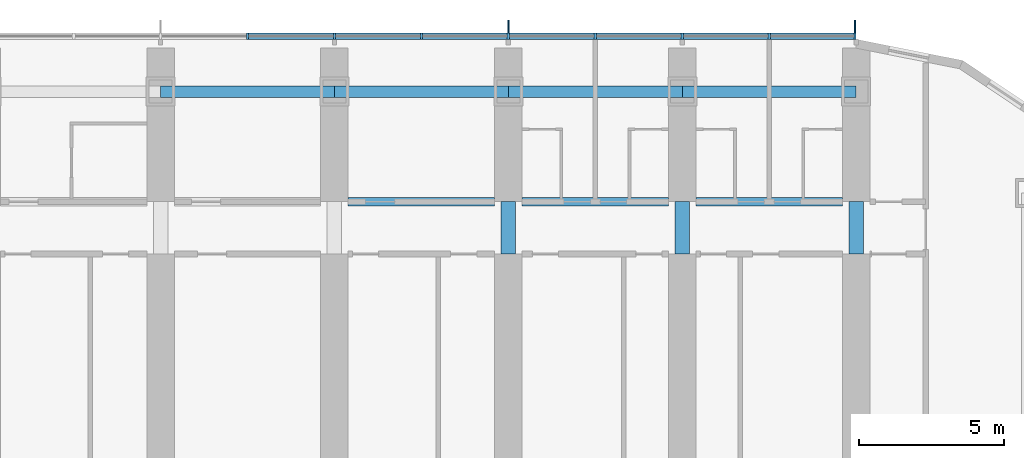
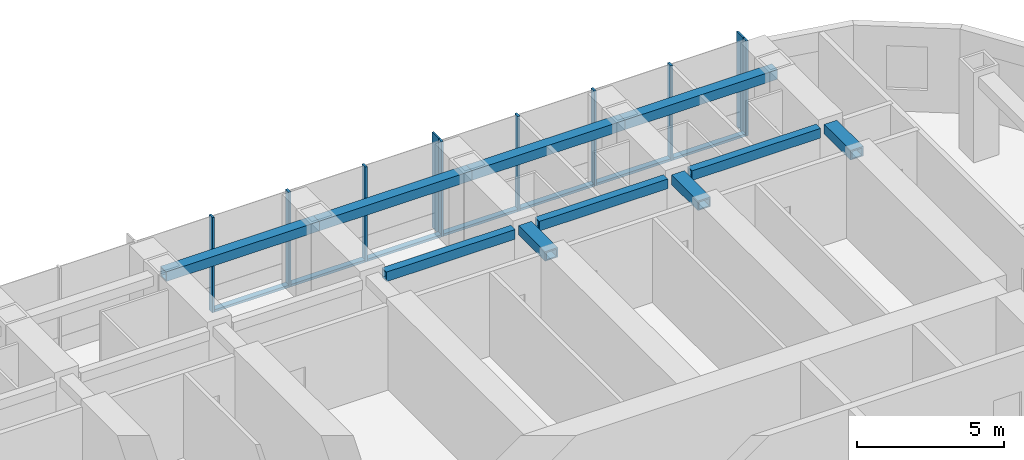
# One storey, part 7 of 25: 17 members, 10 beams, 1 element without a shape of its own.
"""IFC4 building model written with IfcOpenShell, lengths in metres."""

from ifc_helpers import new_model, si_unit, direction, frame, origin, origin_2d, place, context, subcontext, project, spatial, rectangle, hollow_rectangle, extrude, material, material_profile, profile_set, type_object, element, aggregate, save


model = new_model("IFC4")

# Units and contexts
model_context = context("Model", 3, precision=1e-05, world=origin(), true_north=direction((0.0, 1.0)))
body_context = subcontext(model_context, "Body", "Model", "MODEL_VIEW")
ifc_project = project(units=[si_unit("LENGTHUNIT", "METRE"), si_unit("AREAUNIT", "SQUARE_METRE"), si_unit("VOLUMEUNIT", "CUBIC_METRE"), si_unit("PLANEANGLEUNIT", "RADIAN"), si_unit("MASSUNIT", "GRAM", prefix="KILO")], contexts=[model_context])

# Site, building, storey
site_placement = place(None, origin())
site = spatial("IfcSite", under=ifc_project, at=site_placement, CompositionType="ELEMENT")
building_placement = place(site_placement, origin())
building = spatial("IfcBuilding", under=site, at=building_placement, Name="Orbita Commons", CompositionType="ELEMENT")
storey_placement = place(building_placement, frame((0.0, 0.0, 84.39990234375)))
storey = spatial("IfcBuildingStorey", under=building, at=storey_placement, Name="L20", CompositionType="ELEMENT", Elevation=84.39990234375)

# Curtain wall, members
ifc_material_1 = material(Name="Anodised aluminium frame, pale silver", Category="aluminium")
curtain_wall_type = type_object("IfcCurtainWallType", Name="Unitised curtain wall CW-T, vision and spandrel", PredefinedType="NOTDEFINED", material=ifc_material_1)
curtain_wall_placement = place(storey_placement, origin())
curtain_wall = element("IfcCurtainWall", 1, at=curtain_wall_placement, inside=storey, type_object=curtain_wall_type, Name="Curtain wall north L20", PredefinedType="NOTDEFINED")
ifc_material_2 = material(Name="Anodised aluminium, pale silver", Category="aluminium")
ifc_material_profile_1 = material_profile(ifc_material_2, rectangle(XDim=0.080078125, YDim=0.219970703125, at=origin_2d()), Name="AL 80x220")
ifc_profile_set_1 = profile_set([ifc_material_profile_1], Name="Anodised aluminium, pale silver")
member_type_1 = type_object("IfcMemberType", Name="Curtain wall mullion 80x220", PredefinedType="MULLION", material=ifc_profile_set_1)
member_1_placement = place(storey_placement, frame((65.9599609375, 55.510009765625, -0.449951171875), z_axis=(0.0, 0.0, 1.0), x_axis=(-1.0, 0.0, 0.0)))
member_1 = element("IfcMember", 2, at=member_1_placement, type_object=member_type_1, Name="Mullion 1 CW-L20-N", PredefinedType="MULLION", context=body_context, shape_type="SweptSolid", body=[
    extrude(rectangle(XDim=0.080078125, YDim=0.219970703125, at=origin_2d()), origin(), (0.0, 0.0, 1.0), 3.949951171875),
])
member_2_placement = place(storey_placement, frame((63.0, 55.510009765625, -0.449951171875), z_axis=(0.0, 0.0, 1.0), x_axis=(-1.0, 0.0, 0.0)))
member_2 = element("IfcMember", 3, at=member_2_placement, type_object=member_type_1, Name="Mullion 2 CW-L20-N", PredefinedType="MULLION", context=body_context, shape_type="SweptSolid", body=[
    extrude(rectangle(XDim=0.080078125, YDim=0.219970703125, at=origin_2d()), origin(), (0.0, 0.0, 1.0), 3.949951171875),
])
member_3_placement = place(storey_placement, frame((60.0, 55.510009765625, -0.449951171875), z_axis=(0.0, 0.0, 1.0), x_axis=(-1.0, 0.0, 0.0)))
member_3 = element("IfcMember", 4, at=member_3_placement, type_object=member_type_1, Name="Mullion 3 CW-L20-N", PredefinedType="MULLION", context=body_context, shape_type="SweptSolid", body=[
    extrude(rectangle(XDim=0.080078125, YDim=0.219970703125, at=origin_2d()), origin(), (0.0, 0.0, 1.0), 3.949951171875),
])
member_4_placement = place(storey_placement, frame((57.0, 55.510009765625, -0.449951171875), z_axis=(0.0, 0.0, 1.0), x_axis=(-1.0, 0.0, 0.0)))
member_4 = element("IfcMember", 5, at=member_4_placement, type_object=member_type_1, Name="Mullion 4 CW-L20-N", PredefinedType="MULLION", context=body_context, shape_type="SweptSolid", body=[
    extrude(rectangle(XDim=0.080078125, YDim=0.219970703125, at=origin_2d()), origin(), (0.0, 0.0, 1.0), 3.949951171875),
])
member_5_placement = place(storey_placement, frame((54.0, 55.510009765625, -0.449951171875), z_axis=(0.0, 0.0, 1.0), x_axis=(-1.0, 0.0, 0.0)))
member_5 = element("IfcMember", 6, at=member_5_placement, type_object=member_type_1, Name="Mullion 5 CW-L20-N", PredefinedType="MULLION", context=body_context, shape_type="SweptSolid", body=[
    extrude(rectangle(XDim=0.080078125, YDim=0.219970703125, at=origin_2d()), origin(), (0.0, 0.0, 1.0), 3.949951171875),
])
member_6_placement = place(storey_placement, frame((51.0, 55.510009765625, -0.449951171875), z_axis=(0.0, 0.0, 1.0), x_axis=(-1.0, 0.0, 0.0)))
member_6 = element("IfcMember", 7, at=member_6_placement, type_object=member_type_1, Name="Mullion 6 CW-L20-N", PredefinedType="MULLION", context=body_context, shape_type="SweptSolid", body=[
    extrude(rectangle(XDim=0.080078125, YDim=0.219970703125, at=origin_2d()), origin(), (0.0, 0.0, 1.0), 3.949951171875),
])
member_7_placement = place(storey_placement, frame((48.0, 55.510009765625, -0.449951171875), z_axis=(0.0, 0.0, 1.0), x_axis=(-1.0, 0.0, 0.0)))
member_7 = element("IfcMember", 8, at=member_7_placement, type_object=member_type_1, Name="Mullion 7 CW-L20-N", PredefinedType="MULLION", context=body_context, shape_type="SweptSolid", body=[
    extrude(rectangle(XDim=0.080078125, YDim=0.219970703125, at=origin_2d()), origin(), (0.0, 0.0, 1.0), 3.949951171875),
])
member_8_placement = place(storey_placement, frame((45.0, 55.510009765625, -0.449951171875), z_axis=(0.0, 0.0, 1.0), x_axis=(-1.0, 0.0, 0.0)))
member_8 = element("IfcMember", 9, at=member_8_placement, type_object=member_type_1, Name="Mullion 8 CW-L20-N", PredefinedType="MULLION", context=body_context, shape_type="SweptSolid", body=[
    extrude(rectangle(XDim=0.080078125, YDim=0.219970703125, at=origin_2d()), origin(), (0.0, 0.0, 1.0), 3.949951171875),
])
ifc_material_3 = material(Name="Anodised aluminium, pale silver", Category="aluminium")
ifc_material_profile_2 = material_profile(ifc_material_3, rectangle(XDim=0.219970703125, YDim=0.10009765625, at=origin_2d()), Name="AL 220x100")
ifc_profile_set_2 = profile_set([ifc_material_profile_2], Name="Anodised aluminium, pale silver")
member_type_2 = type_object("IfcMemberType", Name="Curtain wall stack transom 220x100", PredefinedType="USERDEFINED", material=ifc_profile_set_2)
member_9_placement = place(storey_placement, frame((65.919921875, 55.510009765625, -0.39990234375), z_axis=(-1.0, 0.0, 0.0), x_axis=(0.0, -1.0, 0.0)))
member_9 = element("IfcMember", 10, at=member_9_placement, type_object=member_type_2, Name="Transom 1.1 CW-L20-N", ObjectType="TRANSOM", PredefinedType="USERDEFINED", context=body_context, shape_type="SweptSolid", body=[
    extrude(rectangle(XDim=0.219970703125, YDim=0.10009765625, at=origin_2d()), origin(), (0.0, 0.0, 1.0), 2.8798828125),
])
member_10_placement = place(storey_placement, frame((62.9599609375, 55.510009765625, -0.39990234375), z_axis=(-1.0, 0.0, 0.0), x_axis=(0.0, -1.0, 0.0)))
member_10 = element("IfcMember", 11, at=member_10_placement, type_object=member_type_2, Name="Transom 2.1 CW-L20-N", ObjectType="TRANSOM", PredefinedType="USERDEFINED", context=body_context, shape_type="SweptSolid", body=[
    extrude(rectangle(XDim=0.219970703125, YDim=0.10009765625, at=origin_2d()), origin(), (0.0, 0.0, 1.0), 2.919921875),
])
member_11_placement = place(storey_placement, frame((59.9599609375, 55.510009765625, -0.39990234375), z_axis=(-1.0, 0.0, 0.0), x_axis=(0.0, -1.0, 0.0)))
member_11 = element("IfcMember", 12, at=member_11_placement, type_object=member_type_2, Name="Transom 3.1 CW-L20-N", ObjectType="TRANSOM", PredefinedType="USERDEFINED", context=body_context, shape_type="SweptSolid", body=[
    extrude(rectangle(XDim=0.219970703125, YDim=0.10009765625, at=origin_2d()), origin(), (0.0, 0.0, 1.0), 2.919921875),
])
member_12_placement = place(storey_placement, frame((56.9599609375, 55.510009765625, -0.39990234375), z_axis=(-1.0, 0.0, 0.0), x_axis=(0.0, -1.0, 0.0)))
member_12 = element("IfcMember", 13, at=member_12_placement, type_object=member_type_2, Name="Transom 4.1 CW-L20-N", ObjectType="TRANSOM", PredefinedType="USERDEFINED", context=body_context, shape_type="SweptSolid", body=[
    extrude(rectangle(XDim=0.219970703125, YDim=0.10009765625, at=origin_2d()), origin(), (0.0, 0.0, 1.0), 2.919921875),
])
member_13_placement = place(storey_placement, frame((53.9599609375, 55.510009765625, -0.39990234375), z_axis=(-1.0, 0.0, 0.0), x_axis=(0.0, -1.0, 0.0)))
member_13 = element("IfcMember", 14, at=member_13_placement, type_object=member_type_2, Name="Transom 5.1 CW-L20-N", ObjectType="TRANSOM", PredefinedType="USERDEFINED", context=body_context, shape_type="SweptSolid", body=[
    extrude(rectangle(XDim=0.219970703125, YDim=0.10009765625, at=origin_2d()), origin(), (0.0, 0.0, 1.0), 2.919921875),
])
member_14_placement = place(storey_placement, frame((50.9599609375, 55.510009765625, -0.39990234375), z_axis=(-1.0, 0.0, 0.0), x_axis=(0.0, -1.0, 0.0)))
member_14 = element("IfcMember", 15, at=member_14_placement, type_object=member_type_2, Name="Transom 6.1 CW-L20-N", ObjectType="TRANSOM", PredefinedType="USERDEFINED", context=body_context, shape_type="SweptSolid", body=[
    extrude(rectangle(XDim=0.219970703125, YDim=0.10009765625, at=origin_2d()), origin(), (0.0, 0.0, 1.0), 2.919921875),
])
member_15_placement = place(storey_placement, frame((47.9599609375, 55.510009765625, -0.39990234375), z_axis=(-1.0, 0.0, 0.0), x_axis=(0.0, -1.0, 0.0)))
member_15 = element("IfcMember", 16, at=member_15_placement, type_object=member_type_2, Name="Transom 7.1 CW-L20-N", ObjectType="TRANSOM", PredefinedType="USERDEFINED", context=body_context, shape_type="SweptSolid", body=[
    extrude(rectangle(XDim=0.219970703125, YDim=0.10009765625, at=origin_2d()), origin(), (0.0, 0.0, 1.0), 2.919921875),
])

# Beams
ifc_material_4 = material(Name="Steel ASTM A572 Gr 50 welded plate", Category="steel")
ifc_material_profile_3 = material_profile(ifc_material_4, hollow_rectangle(XDim=0.300048828125, YDim=0.39990234375, WallThickness=0.0400390625, at=origin_2d()), Name="BOX 400x300x40")
ifc_profile_set_3 = profile_set([ifc_material_profile_3], Name="Steel ASTM A572 Gr 50 welded plate")
beam_type_1 = type_object("IfcBeamType", Name="Steel corridor link BOX 400x300x40", PredefinedType="BEAM", material=ifc_profile_set_3)
for number, where, z_axis, x_axis, name in (
    (17, (48.47509765625, 49.800048828125, 3.300048828125), (1.0, 0.0, 0.0), (0.0, 1.0, 0.0), "Corridor beam NB 9-10 L20"),
    (18, (54.47509765625, 49.800048828125, 3.300048828125), (1.0, 0.0, 0.0), (0.0, 1.0, 0.0), "Corridor beam NB 10-11 L20"),
    (19, (60.47509765625, 49.800048828125, 3.300048828125), (1.0, 0.0, 0.0), (0.0, 1.0, 0.0), "Corridor beam NB 11-12 L20"),
):
    element("IfcBeam", number, at=place(storey_placement, frame(where, z_axis=z_axis, x_axis=x_axis)), inside=storey, type_object=beam_type_1, Name=name, PredefinedType="BEAM", context=body_context, shape_type="SweptSolid", body=[
        extrude(hollow_rectangle(XDim=0.300048828125, YDim=0.39990234375, WallThickness=0.0400390625, at=origin_2d()), origin(), (0.0, 0.0, 1.0), 5.0498046875),
    ])
ifc_material_5 = material(Name="Steel ASTM A572 Gr 50 welded plate", Category="steel")
ifc_material_profile_4 = material_profile(ifc_material_5, hollow_rectangle(XDim=0.5, YDim=0.39990234375, WallThickness=0.050048828125, at=origin_2d()), Name="BOX 400x500x50")
ifc_profile_set_4 = profile_set([ifc_material_profile_4], Name="Steel ASTM A572 Gr 50 welded plate")
beam_type_2 = type_object("IfcBeamType", Name="Steel coupling link BOX 400x500x50", PredefinedType="LINTEL", material=ifc_profile_set_4)
for number, where, z_axis, x_axis, name in (
    (20, (54.0, 48.0, 3.300048828125), (0.0, 1.0, 0.0), (-1.0, 0.0, 0.0), "Coupling beam 10 north L20"),
    (21, (60.0, 48.0, 3.300048828125), (0.0, 1.0, 0.0), (-1.0, 0.0, 0.0), "Coupling beam 11 north L20"),
    (22, (66.0, 48.0, 3.300048828125), (0.0, 1.0, 0.0), (-1.0, 0.0, 0.0), "Coupling beam 12 north L20"),
):
    element("IfcBeam", number, at=place(storey_placement, frame(where, z_axis=z_axis, x_axis=x_axis)), inside=storey, type_object=beam_type_2, Name=name, PredefinedType="LINTEL", context=body_context, shape_type="SweptSolid", body=[
        extrude(hollow_rectangle(XDim=0.5, YDim=0.39990234375, WallThickness=0.050048828125, at=origin_2d()), origin(), (0.0, 0.0, 1.0), 1.800048828125),
    ])
ifc_material_6 = material(Name="Steel ASTM A572 Gr 50 welded plate", Category="steel")
ifc_material_profile_5 = material_profile(ifc_material_6, hollow_rectangle(XDim=0.39990234375, YDim=0.39990234375, WallThickness=0.0400390625, at=origin_2d()), Name="BOX 400x400x40")
ifc_profile_set_5 = profile_set([ifc_material_profile_5], Name="Steel ASTM A572 Gr 50 welded plate")
beam_type_3 = type_object("IfcBeamType", Name="Steel spandrel BOX 400x400x40", PredefinedType="SPANDREL", material=ifc_profile_set_5)
for number, where, z_axis, x_axis, name in (
    (23, (42.0, 53.60009765625, 3.300048828125), (1.0, 0.0, 0.0), (0.0, 1.0, 0.0), "Spandrel beam E 8-9 L20"),
    (24, (48.0, 53.60009765625, 3.300048828125), (1.0, 0.0, 0.0), (0.0, 1.0, 0.0), "Spandrel beam E 9-10 L20"),
    (25, (54.0, 53.60009765625, 3.300048828125), (1.0, 0.0, 0.0), (0.0, 1.0, 0.0), "Spandrel beam E 10-11 L20"),
    (26, (60.0, 53.60009765625, 3.300048828125), (1.0, 0.0, 0.0), (0.0, 1.0, 0.0), "Spandrel beam E 11-12 L20"),
):
    element("IfcBeam", number, at=place(storey_placement, frame(where, z_axis=z_axis, x_axis=x_axis)), inside=storey, type_object=beam_type_3, Name=name, PredefinedType="SPANDREL", context=body_context, shape_type="SweptSolid", body=[
        extrude(hollow_rectangle(XDim=0.39990234375, YDim=0.39990234375, WallThickness=0.0400390625, at=origin_2d()), origin(), (0.0, 0.0, 1.0), 6.0),
    ])

# Member
ifc_material_7 = material(Name="Anodised aluminium, pale silver", Category="aluminium")
ifc_material_profile_6 = material_profile(ifc_material_7, rectangle(XDim=0.06005859375, YDim=0.449951171875, at=origin_2d()), Name="FIN 60x450")
ifc_profile_set_6 = profile_set([ifc_material_profile_6], Name="Anodised aluminium, pale silver")
member_type_3 = type_object("IfcMemberType", Name="Vertical fin 60x450 pale aluminium", PredefinedType="USERDEFINED", material=ifc_profile_set_6)
member_16_placement = place(storey_placement, frame((65.9599609375, 55.844970703125, -0.449951171875), z_axis=(0.0, 0.0, 1.0), x_axis=(-1.0, 0.0, 0.0)))
member_16 = element("IfcMember", 27, at=member_16_placement, type_object=member_type_3, Name="Fin 1 CW-L20-N", ObjectType="FIN", PredefinedType="USERDEFINED", context=body_context, shape_type="SweptSolid", body=[
    extrude(rectangle(XDim=0.06005859375, YDim=0.449951171875, at=origin_2d()), origin(), (0.0, 0.0, 1.0), 3.949951171875),
])

member_17_placement = place(storey_placement, frame((54.0, 55.844970703125, -0.449951171875), z_axis=(0.0, 0.0, 1.0), x_axis=(-1.0, 0.0, 0.0)))
member_17 = element("IfcMember", 28, at=member_17_placement, type_object=member_type_3, Name="Fin 5 CW-L20-N", ObjectType="FIN", PredefinedType="USERDEFINED", context=body_context, shape_type="SweptSolid", body=[
    extrude(rectangle(XDim=0.06005859375, YDim=0.449951171875, at=origin_2d()), origin(), (0.0, 0.0, 1.0), 3.949951171875),
])

aggregate(curtain_wall, [member_1, member_16, member_2, member_3, member_4, member_5, member_17, member_6, member_7, member_8, member_9, member_10, member_11, member_12, member_13, member_14, member_15])

save(model, "model.ifc")
